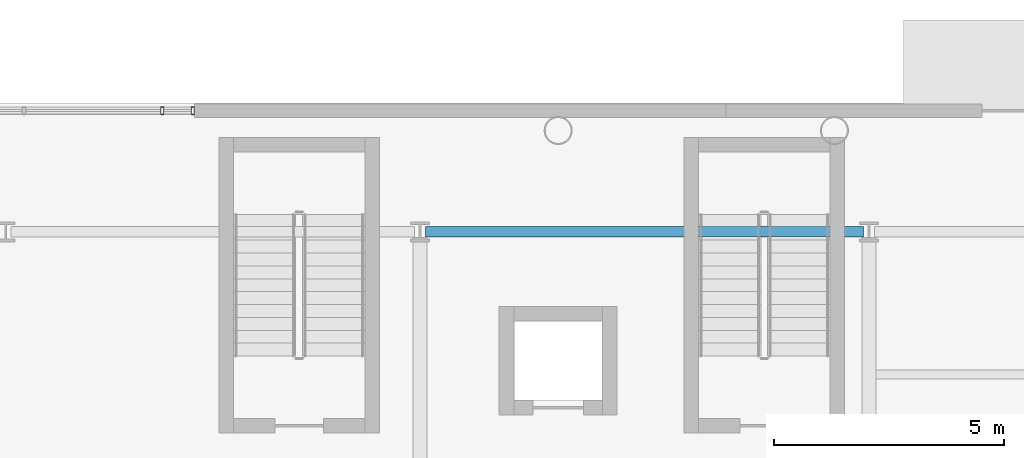
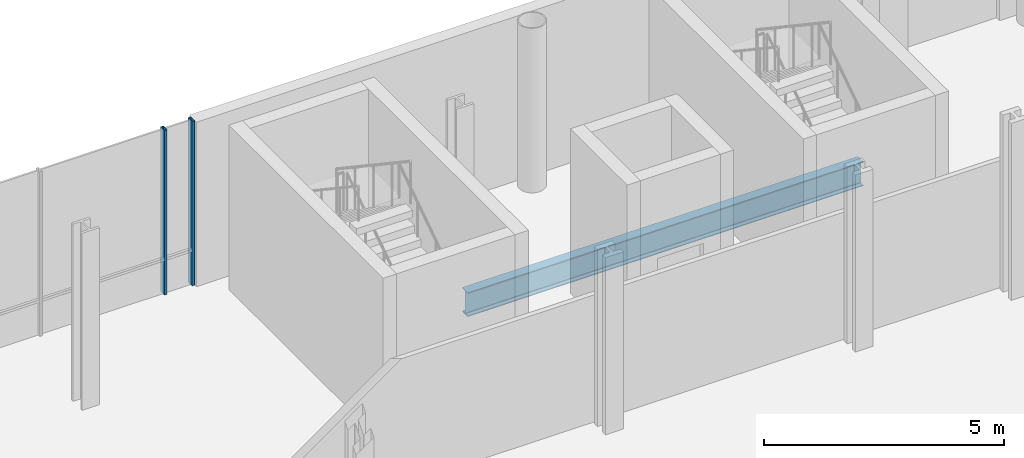
# One storey, part 6 of 28: 2 members, 1 beam, 1 element without a shape of its own.
"""IFC4 building model written with IfcOpenShell, lengths in metres."""

from ifc_helpers import new_model, si_unit, direction, frame, origin, origin_2d, place, context, subcontext, project, spatial, hollow_rectangle, i_section, extrude, material, layer, layer_set, material_profile, profile_set, type_object, element, aggregate, save


model = new_model("IFC4")

# Units and contexts
model_context = context("Model", 3, precision=1e-05, world=origin(), true_north=direction((0.0, 1.0)))
body_context = subcontext(model_context, "Body", "Model", "MODEL_VIEW")
ifc_project = project(units=[si_unit("LENGTHUNIT", "METRE"), si_unit("AREAUNIT", "SQUARE_METRE"), si_unit("VOLUMEUNIT", "CUBIC_METRE"), si_unit("PLANEANGLEUNIT", "RADIAN"), si_unit("MASSUNIT", "GRAM", prefix="KILO")], contexts=[model_context])

# Site, building, storey
site_placement = place(None, origin())
site = spatial("IfcSite", under=ifc_project, at=site_placement, CompositionType="ELEMENT")
building_placement = place(site_placement, origin())
building = spatial("IfcBuilding", under=site, at=building_placement, Name="Brevholm Reach", CompositionType="ELEMENT")
storey_placement = place(building_placement, origin())
storey = spatial("IfcBuildingStorey", under=building, at=storey_placement, Name="L00", CompositionType="ELEMENT", Elevation=0.0)

# Beam
ifc_material_1 = material(Name="Structural Steel S355J2", Category="steel")
ifc_material_profile_1 = material_profile(ifc_material_1, i_section(OverallWidth=0.22900390625, OverallDepth=0.6123046875, WebThickness=0.011962890625, FlangeThickness=0.01953125, FilletRadius=0.0126953125, at=origin_2d()), Name="UKB 610x229x125")
ifc_profile_set_1 = profile_set([ifc_material_profile_1], Name="Structural Steel S355J2")
beam_type = type_object("IfcBeamType", Name="BM-SP610", PredefinedType="SPANDREL", material=ifc_profile_set_1)
beam_placement = place(storey_placement, frame((12.1201171875, 37.199951171875, -0.64599609375), z_axis=(1.0, 0.0, 0.0), x_axis=(0.0, 1.0, 0.0)))
element("IfcBeam", 1, at=beam_placement, inside=storey, type_object=beam_type, Name="L00 SP-01 Framing Beam", PredefinedType="SPANDREL", context=body_context, shape_type="SweptSolid", body=[
    extrude(i_section(OverallWidth=0.22900390625, OverallDepth=0.6123046875, WebThickness=0.011962890625, FlangeThickness=0.01953125, FilletRadius=0.0126953125, at=origin_2d()), origin(), (0.0, 0.0, 1.0), 9.509765625),
])

# Curtain wall, members
ifc_material_2 = material(Name="Dark Anodised Aluminium 6063-T6 and Solar-Control Glass", Category="aluminium")
ifc_layer = layer(ifc_material_2, 0.1650390625)
ifc_layer_set = layer_set([ifc_layer], Name="Dark Anodised Aluminium 6063-T6 and Solar-Control Glass")
curtain_wall_type = type_object("IfcCurtainWallType", Name="CW-03", PredefinedType="NOTDEFINED", material=ifc_layer_set)
curtain_wall_placement = place(storey_placement, origin())
curtain_wall = element("IfcCurtainWall", 2, at=curtain_wall_placement, inside=storey, type_object=curtain_wall_type, Name="L00 Curtain Wall CW-03", PredefinedType="NOTDEFINED")
ifc_material_3 = material(Name="Dark Anodised Aluminium 6063-T6", Category="aluminium")
ifc_material_profile_2 = material_profile(ifc_material_3, hollow_rectangle(XDim=0.070068359375, YDim=0.1650390625, WallThickness=0.0048828125, InnerFilletRadius=0.0048828125, OuterFilletRadius=0.010009765625, at=origin_2d()), Name="RHS 165x70x5")
ifc_profile_set_2 = profile_set([ifc_material_profile_2], Name="Dark Anodised Aluminium 6063-T6")
member_type = type_object("IfcMemberType", Name="CWM-165", PredefinedType="MULLION", material=ifc_profile_set_2)
member_1_placement = place(storey_placement, frame((6.39990234375, 39.830078125, 0.0), z_axis=(0.0, 0.0, 1.0), x_axis=(1.0, 0.0, 0.0)))
member_1 = element("IfcMember", 3, at=member_1_placement, type_object=member_type, Name="CM-165 Mullion 5", PredefinedType="MULLION", context=body_context, shape_type="SweptSolid", body=[
    extrude(hollow_rectangle(XDim=0.070068359375, YDim=0.1650390625, WallThickness=0.0048828125, InnerFilletRadius=0.0048828125, OuterFilletRadius=0.010009765625, at=origin_2d()), origin(), (0.0, 0.0, 1.0), 4.179931640625),
])
member_2_placement = place(storey_placement, frame((7.06494140625, 39.830078125, 0.0), z_axis=(0.0, 0.0, 1.0), x_axis=(1.0, 0.0, 0.0)))
member_2 = element("IfcMember", 4, at=member_2_placement, type_object=member_type, Name="CM-165 Mullion 6", PredefinedType="MULLION", context=body_context, shape_type="SweptSolid", body=[
    extrude(hollow_rectangle(XDim=0.070068359375, YDim=0.1650390625, WallThickness=0.0048828125, InnerFilletRadius=0.0048828125, OuterFilletRadius=0.010009765625, at=origin_2d()), origin(), (0.0, 0.0, 1.0), 4.179931640625),
])
aggregate(curtain_wall, [member_1, member_2])

save(model, "model.ifc")
